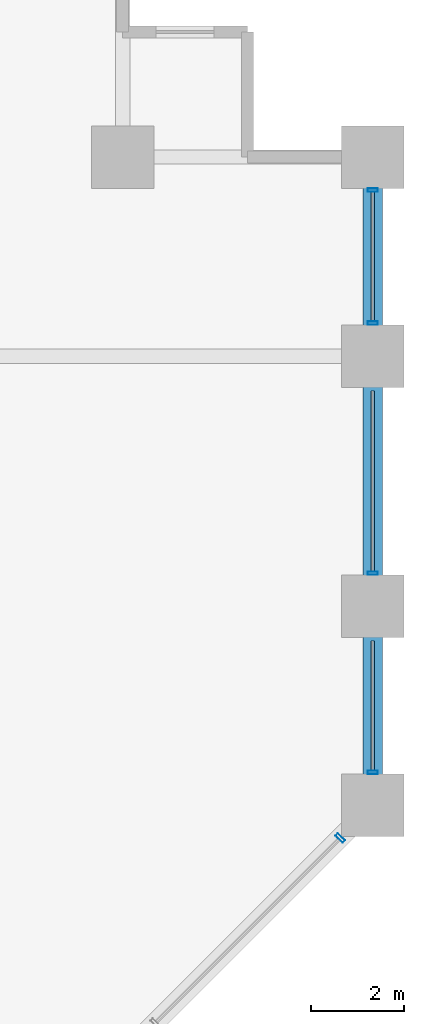
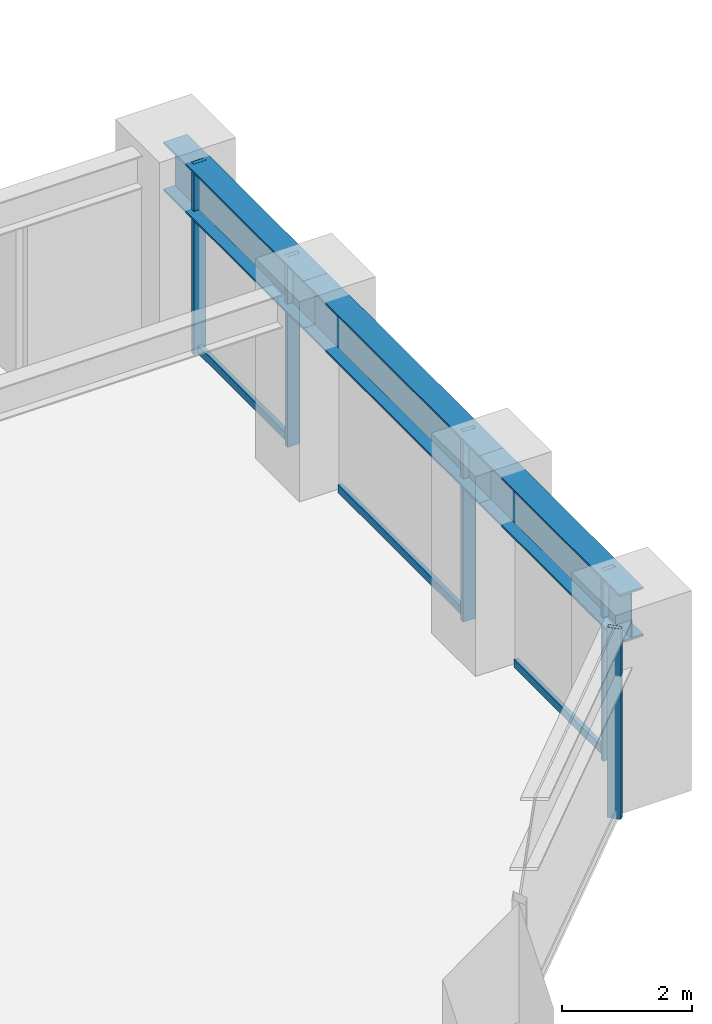
# One storey, part 17 of 25: 8 members, 3 beams, 2 elements without a shape of their own.
"""IFC4 building model written with IfcOpenShell, lengths in metres."""

from ifc_helpers import new_model, si_unit, direction, frame, origin, origin_2d, place, context, subcontext, project, spatial, hollow_rectangle, i_section, extrude, material, layer, layer_set, material_profile, profile_set, type_object, element, aggregate, save


model = new_model("IFC4")

# Units and contexts
model_context = context("Model", 3, precision=1e-05, world=origin(), true_north=direction((0.0, 1.0)))
body_context = subcontext(model_context, "Body", "Model", "MODEL_VIEW")
ifc_project = project(units=[si_unit("LENGTHUNIT", "METRE"), si_unit("AREAUNIT", "SQUARE_METRE"), si_unit("VOLUMEUNIT", "CUBIC_METRE"), si_unit("PLANEANGLEUNIT", "RADIAN"), si_unit("MASSUNIT", "GRAM", prefix="KILO")], contexts=[model_context])

# Site, building, storey
site_placement = place(None, origin())
site = spatial("IfcSite", under=ifc_project, at=site_placement, CompositionType="ELEMENT")
building_placement = place(site_placement, origin())
building = spatial("IfcBuilding", under=site, at=building_placement, Name="Surkhivell Harbour Commons", CompositionType="ELEMENT")
storey_placement = place(building_placement, frame((0.0, 0.0, 33.75)))
storey = spatial("IfcBuildingStorey", under=building, at=storey_placement, Name="L08", CompositionType="ELEMENT", Elevation=33.75)

# Beams
ifc_material_1 = material(Name="Steel S460", Category="steel")
ifc_material_profile_1 = material_profile(ifc_material_1, i_section(OverallWidth=0.419921875, OverallDepth=0.9208984375, WebThickness=0.021484375, FlangeThickness=0.03662109375, at=origin_2d()), Name="UB914x419x388")
ifc_profile_set_1 = profile_set([ifc_material_profile_1], Name="Steel S460")
beam_type = type_object("IfcBeamType", Name="BM-SPN-914A", PredefinedType="SPANDREL", material=ifc_profile_set_1)
beam_1_placement = place(storey_placement, frame((32.39990234375, 6.5, 3.109619140625), z_axis=(0.0, 1.0, 0.0), x_axis=(-1.0, 0.0, 0.0)))
element("IfcBeam", 1, at=beam_1_placement, inside=storey, type_object=beam_type, Name="L08 Tube Spandrel (32.4,6.5)", PredefinedType="SPANDREL", context=body_context, shape_type="SweptSolid", body=[
    extrude(i_section(OverallWidth=0.419921875, OverallDepth=0.9208984375, WebThickness=0.021484375, FlangeThickness=0.03662109375, at=origin_2d()), origin(), (0.0, 0.0, 1.0), 4.300048828125),
])
beam_2_placement = place(storey_placement, frame((32.39990234375, 10.800048828125, 3.109619140625), z_axis=(0.0, 1.0, 0.0), x_axis=(-1.0, 0.0, 0.0)))
element("IfcBeam", 2, at=beam_2_placement, inside=storey, type_object=beam_type, Name="L08 Tube Spandrel (32.4,10.8)", PredefinedType="SPANDREL", context=body_context, shape_type="SweptSolid", body=[
    extrude(i_section(OverallWidth=0.419921875, OverallDepth=0.9208984375, WebThickness=0.021484375, FlangeThickness=0.03662109375, at=origin_2d()), origin(), (0.0, 0.0, 1.0), 5.39990234375),
])
beam_3_placement = place(storey_placement, frame((32.39990234375, 16.199951171875, 3.109619140625), z_axis=(0.0, 1.0, 0.0), x_axis=(-1.0, 0.0, 0.0)))
element("IfcBeam", 3, at=beam_3_placement, inside=storey, type_object=beam_type, Name="L08 Tube Spandrel (32.4,16.2)", PredefinedType="SPANDREL", context=body_context, shape_type="SweptSolid", body=[
    extrude(i_section(OverallWidth=0.419921875, OverallDepth=0.9208984375, WebThickness=0.021484375, FlangeThickness=0.03662109375, at=origin_2d()), origin(), (0.0, 0.0, 1.0), 4.300048828125),
])

# Curtain wall, member
ifc_material_2 = material(Name="Anodised pale-metal aluminium and insulated glazing", Category="aluminium")
ifc_layer = layer(ifc_material_2, 0.219970703125)
ifc_layer_set = layer_set([ifc_layer], Name="Anodised pale-metal aluminium and insulated glazing")
curtain_wall_type = type_object("IfcCurtainWallType", Name="CW-SYS-Z1", PredefinedType="NOTDEFINED", material=ifc_layer_set)
curtain_wall_1_placement = place(storey_placement, origin())
curtain_wall_1 = element("IfcCurtainWall", 4, at=curtain_wall_1_placement, inside=storey, type_object=curtain_wall_type, Name="L08 Curtain Wall CW-L08-E01", PredefinedType="NOTDEFINED")
ifc_material_3 = material(Name="Anodised pale-metal aluminium alloy 6063-T6", Category="aluminium")
ifc_material_profile_2 = material_profile(ifc_material_3, hollow_rectangle(XDim=0.074951171875, YDim=0.219970703125, WallThickness=0.00390625, at=origin_2d()), Name="ALU-MULL-75x220")
ifc_profile_set_2 = profile_set([ifc_material_profile_2], Name="Anodised pale-metal aluminium alloy 6063-T6")
member_type_1 = type_object("IfcMemberType", Name="CWM-220", PredefinedType="MULLION", material=ifc_profile_set_2)
member_1_placement = place(storey_placement, frame((31.69677734375, 5.796630859375, 0.0), z_axis=(0.0, 0.0, 1.0), x_axis=(0.707106781187, 0.707106781187, 0.0)))
member_1 = element("IfcMember", 5, at=member_1_placement, type_object=member_type_1, Name="CW-Z1 mullion 7", PredefinedType="MULLION", context=body_context, shape_type="SweptSolid", body=[
    extrude(hollow_rectangle(XDim=0.074951171875, YDim=0.219970703125, WallThickness=0.00390625, at=origin_2d()), origin(), (0.0, 0.0, 1.0), 3.570068359375),
])
aggregate(curtain_wall_1, [member_1])

# Curtain wall, members
curtain_wall_2_placement = place(storey_placement, origin())
curtain_wall_2 = element("IfcCurtainWall", 6, at=curtain_wall_2_placement, inside=storey, type_object=curtain_wall_type, Name="L08 Curtain Wall CW-L08-E02", PredefinedType="NOTDEFINED")
member_2_placement = place(storey_placement, frame((32.39990234375, 7.214599609375, 0.0), z_axis=(0.0, 0.0, 1.0), x_axis=(0.0, 1.0, 0.0)))
member_2 = element("IfcMember", 7, at=member_2_placement, type_object=member_type_1, Name="CW-Z1 mullion 1", PredefinedType="MULLION", context=body_context, shape_type="SweptSolid", body=[
    extrude(hollow_rectangle(XDim=0.074951171875, YDim=0.219970703125, WallThickness=0.00390625, at=origin_2d()), origin(), (0.0, 0.0, 1.0), 3.570068359375),
])
member_3_placement = place(storey_placement, frame((32.39990234375, 11.514404296875, 0.0), z_axis=(0.0, 0.0, 1.0), x_axis=(0.0, 1.0, 0.0)))
member_3 = element("IfcMember", 8, at=member_3_placement, type_object=member_type_1, Name="CW-Z1 mullion 2", PredefinedType="MULLION", context=body_context, shape_type="SweptSolid", body=[
    extrude(hollow_rectangle(XDim=0.074951171875, YDim=0.219970703125, WallThickness=0.00390625, at=origin_2d()), origin(), (0.0, 0.0, 1.0), 3.570068359375),
])
member_4_placement = place(storey_placement, frame((32.39990234375, 16.91455078125, 0.0), z_axis=(0.0, 0.0, 1.0), x_axis=(0.0, 1.0, 0.0)))
member_4 = element("IfcMember", 9, at=member_4_placement, type_object=member_type_1, Name="CW-Z1 mullion 3", PredefinedType="MULLION", context=body_context, shape_type="SweptSolid", body=[
    extrude(hollow_rectangle(XDim=0.074951171875, YDim=0.219970703125, WallThickness=0.00390625, at=origin_2d()), origin(), (0.0, 0.0, 1.0), 3.570068359375),
])
member_5_placement = place(storey_placement, frame((32.39990234375, 19.785400390625, 0.0), z_axis=(0.0, 0.0, 1.0), x_axis=(0.0, 1.0, 0.0)))
member_5 = element("IfcMember", 10, at=member_5_placement, type_object=member_type_1, Name="CW-Z1 mullion 4", PredefinedType="MULLION", context=body_context, shape_type="SweptSolid", body=[
    extrude(hollow_rectangle(XDim=0.074951171875, YDim=0.219970703125, WallThickness=0.00390625, at=origin_2d()), origin(), (0.0, 0.0, 1.0), 3.570068359375),
])
ifc_material_profile_3 = material_profile(ifc_material_3, hollow_rectangle(XDim=0.074951171875, YDim=0.14990234375, WallThickness=0.00341796875, at=origin_2d()), Name="ALU-TRAN-75x150")
ifc_profile_set_3 = profile_set([ifc_material_profile_3], Name="Anodised pale-metal aluminium alloy 6063-T6")
member_type_2 = type_object("IfcMemberType", Name="CWT-150", PredefinedType="USERDEFINED", material=ifc_profile_set_3)
member_6_placement = place(storey_placement, frame((32.39990234375, 7.251953125, 0.074951171875), z_axis=(0.0, 1.0, 0.0), x_axis=(-1.0, 0.0, 0.0)))
member_6 = element("IfcMember", 11, at=member_6_placement, type_object=member_type_2, Name="CW-Z1 transom 1.1", ObjectType="TRANSOM", PredefinedType="USERDEFINED", context=body_context, shape_type="SweptSolid", body=[
    extrude(hollow_rectangle(XDim=0.074951171875, YDim=0.14990234375, WallThickness=0.00341796875, at=origin_2d()), origin(), (0.0, 0.0, 1.0), 2.796142578125),
])
member_7_placement = place(storey_placement, frame((32.39990234375, 11.552001953125, 0.074951171875), z_axis=(0.0, 1.0, 0.0), x_axis=(-1.0, 0.0, 0.0)))
member_7 = element("IfcMember", 12, at=member_7_placement, type_object=member_type_2, Name="CW-Z1 transom 2.1", ObjectType="TRANSOM", PredefinedType="USERDEFINED", context=body_context, shape_type="SweptSolid", body=[
    extrude(hollow_rectangle(XDim=0.074951171875, YDim=0.14990234375, WallThickness=0.00341796875, at=origin_2d()), origin(), (0.0, 0.0, 1.0), 3.89599609375),
])
member_8_placement = place(storey_placement, frame((32.39990234375, 16.951904296875, 0.074951171875), z_axis=(0.0, 1.0, 0.0), x_axis=(-1.0, 0.0, 0.0)))
member_8 = element("IfcMember", 13, at=member_8_placement, type_object=member_type_2, Name="CW-Z1 transom 3.1", ObjectType="TRANSOM", PredefinedType="USERDEFINED", context=body_context, shape_type="SweptSolid", body=[
    extrude(hollow_rectangle(XDim=0.074951171875, YDim=0.14990234375, WallThickness=0.00341796875, at=origin_2d()), origin(), (0.0, 0.0, 1.0), 2.796142578125),
])
aggregate(curtain_wall_2, [member_2, member_6, member_3, member_7, member_4, member_5, member_8])

save(model, "model.ifc")
